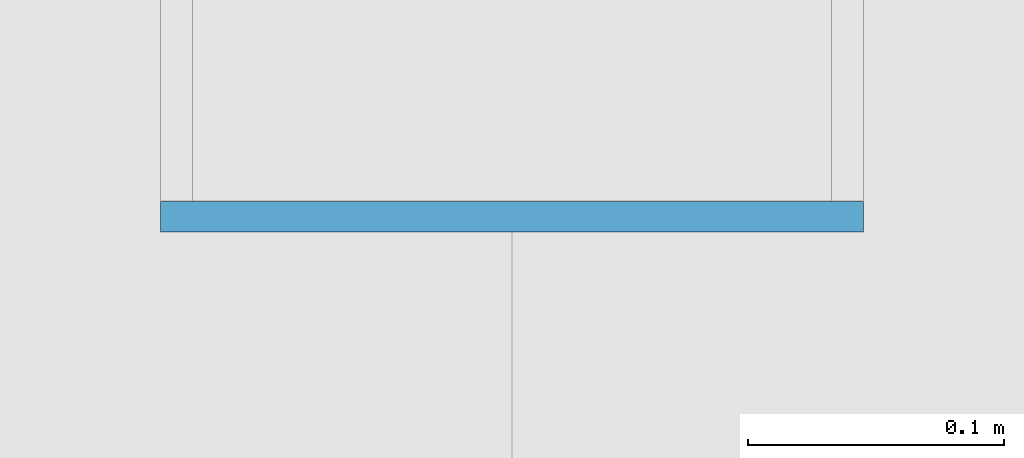
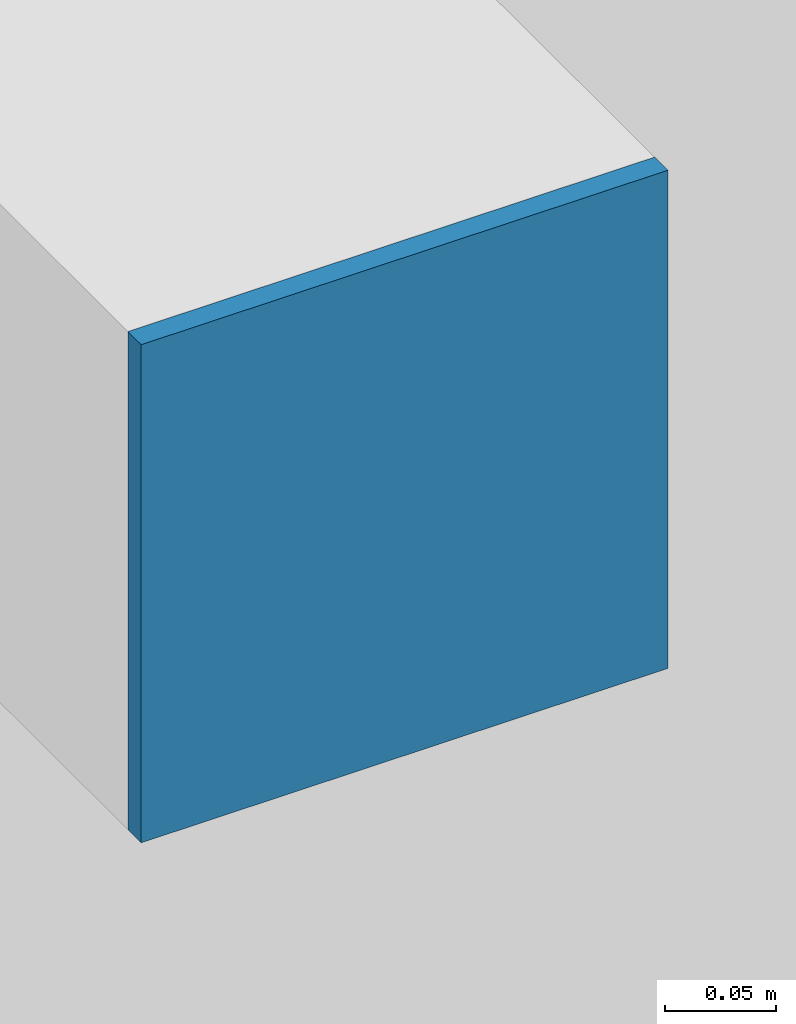
# One storey, part 45 of 59: 1 plate.
"""IFC4 building model written with IfcOpenShell, lengths in metres."""

from ifc_helpers import new_model, si_unit, direction, frame, origin, origin_2d, place, context, subcontext, project, spatial, rectangle, extrude, source, transform, mapped, material, layer, layer_set, type_object, element, save


model = new_model("IFC4")

# Units and contexts
model_context = context("Model", 3, precision=1e-05, world=origin(), true_north=direction((0.0, 1.0)))
body_context = subcontext(model_context, "Body", "Model", "MODEL_VIEW")
ifc_project = project(units=[si_unit("LENGTHUNIT", "METRE"), si_unit("AREAUNIT", "SQUARE_METRE"), si_unit("VOLUMEUNIT", "CUBIC_METRE"), si_unit("PLANEANGLEUNIT", "RADIAN"), si_unit("MASSUNIT", "GRAM", prefix="KILO")], contexts=[model_context])

# Site, building, storey
site_placement = place(None, origin())
site = spatial("IfcSite", under=ifc_project, at=site_placement, CompositionType="ELEMENT")
building_placement = place(site_placement, origin())
building = spatial("IfcBuilding", under=site, at=building_placement, Name="Taldren Reach Tower", CompositionType="ELEMENT")
storey_placement = place(building_placement, frame((0.0, 0.0, 48.300048828125)))
storey = spatial("IfcBuildingStorey", under=building, at=storey_placement, Name="L14", CompositionType="ELEMENT", Elevation=48.300048828125)

# Plate
ifc_material = material(Name="Steel Gr 450 (C450L0)", Category="steel")
ifc_layer = layer(ifc_material, 0.011962890625)
ifc_layer_set = layer_set([ifc_layer], Name="Steel Gr 450 (C450L0)")
plate_type = type_object("IfcPlateType", Name="PL-CAP-275", PredefinedType="SHEET", material=ifc_layer_set)
shared_shape = source(origin(), body_context, "Body", "SweptSolid", [
    extrude(rectangle(XDim=0.27490234375, YDim=0.011962890625, at=origin_2d()), origin(), (0.0, 0.0, 1.0), 0.27490234375),
])
plate_placement = place(storey_placement, frame((29.760009765625, 0.593994140625, 2.512451171875), z_axis=(0.0, 0.0, 1.0), x_axis=(1.0, 0.0, 0.0)))
element("IfcPlate", 1, at=plate_placement, inside=storey, type_object=plate_type, Name="Tie strut end cap plate B1-S3 L14", PredefinedType="SHEET", context=body_context, shape_type="MappedRepresentation", body=[
    mapped(shared_shape, transform((0.0, 0.0, 0.0), scale=1.0)),
])

save(model, "model.ifc")
